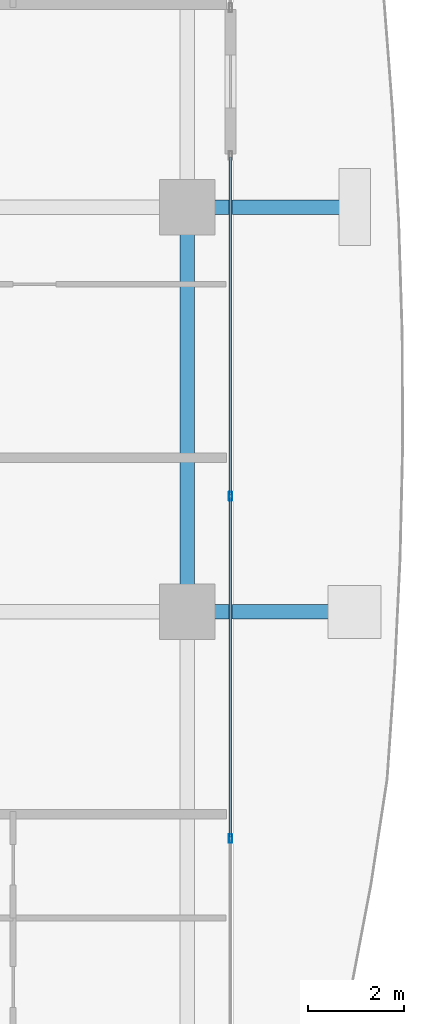
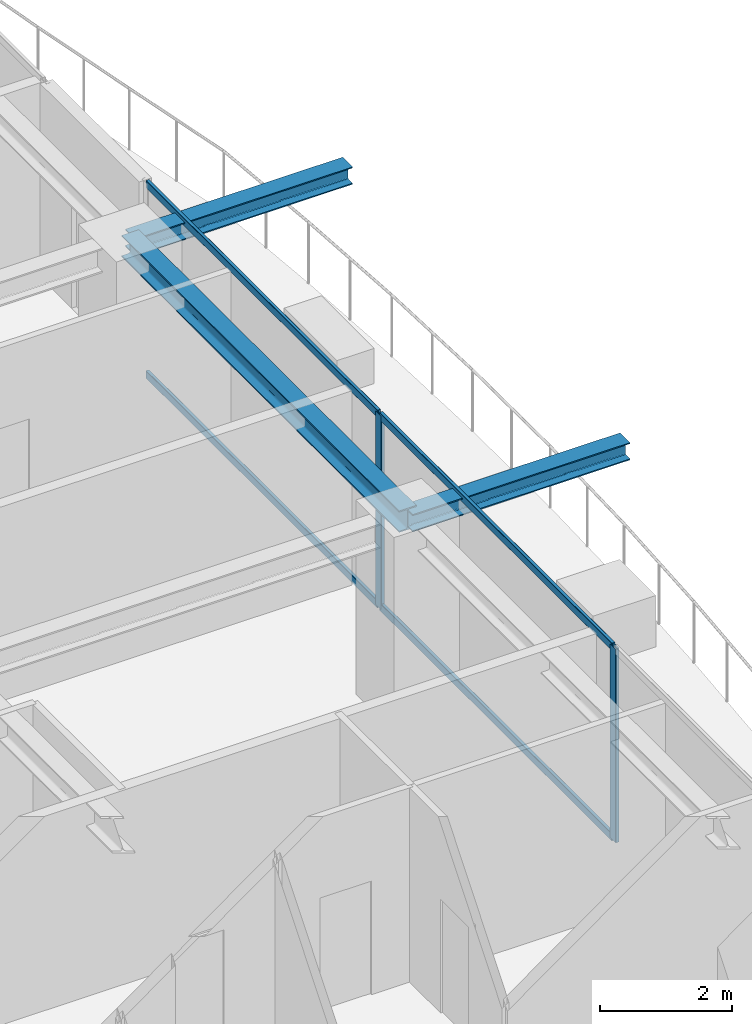
# One storey, part 15 of 38: 6 members, 3 beams, 1 element without a shape of its own.
"""IFC4 building model written with IfcOpenShell, lengths in metres."""

import ifcopenshell
import ifcopenshell.guid

model = None  # the IFC model being written
_history = None  # IfcOwnerHistory: only IFC2X3 demands one
_inside = {}  # id of a spatial element -> (the spatial element, [elements in it])
_under = {}  # id of a project, library or spatial element -> (it, [spatial elements below it])
_declared = {}  # id of a project -> (the project, [libraries it declares])
_typed = {}  # id of a type object -> (the type object, [elements of that type])
_made_of = {}  # id of a material, layer set ... -> (it, [elements and type objects made of it])


def new_model(schema):
    """Start an empty IFC model of exactly this schema.

    Asked for "IFC4X3", IfcOpenShell would pick the latest addendum, in which some entities
    have other attributes; the version numbers below select the first issue.
    IFC2X3 requires an IfcOwnerHistory on every rooted entity: one is made here for all.
    """
    global model, _history
    if schema == "IFC4X3":
        model = ifcopenshell.file(schema_version=(4, 3, 0, 0))
    else:
        model = ifcopenshell.file(schema=schema)
    _inside.clear()
    _under.clear()
    _declared.clear()
    _typed.clear()
    _made_of.clear()
    _history = None
    if model.schema == "IFC2X3":
        org = make("IfcOrganization", Name="unknown")
        user = make(
            "IfcPersonAndOrganization",
            ThePerson=make("IfcPerson", FamilyName="unknown"),
            TheOrganization=org,
        )
        app = make(
            "IfcApplication",
            ApplicationDeveloper=org,
            Version="unknown",
            ApplicationFullName="unknown",
            ApplicationIdentifier="unknown",
        )
        _history = make(
            "IfcOwnerHistory",
            OwningUser=user,
            OwningApplication=app,
            ChangeAction="ADDED",
            CreationDate=0,
        )
    return model


def make(cls, **values):
    """One entity of the class cls with the attributes given. An attribute that is None is left unset."""
    return model.create_entity(
        cls, **{name: value for name, value in values.items() if value is not None}
    )


def rooted(cls, **values):
    """An entity with a GlobalId (a new one), such as an element, a storey or a relation."""
    return make(cls, GlobalId=ifcopenshell.guid.new(), OwnerHistory=_history, **values)


def si_unit(unit_type, name, prefix=None):
    """IfcSIUnit, for example si_unit("LENGTHUNIT", "METRE", prefix="MILLI")."""
    return make("IfcSIUnit", UnitType=unit_type, Prefix=prefix, Name=name)


def assignment(units):
    """IfcUnitAssignment: the units of a project."""
    return None if units is None else make("IfcUnitAssignment", Units=units)


def point(xyz):
    """IfcCartesianPoint."""
    return None if xyz is None else make("IfcCartesianPoint", Coordinates=xyz)


def direction(xyz):
    """IfcDirection."""
    return None if xyz is None else make("IfcDirection", DirectionRatios=xyz)


def frame(location, z_axis=None, x_axis=None):
    """IfcAxis2Placement3D, a coordinate frame: its origin and axes. An axis left out is left unset."""
    return make(
        "IfcAxis2Placement3D",
        Location=point(location),
        Axis=direction(z_axis),
        RefDirection=direction(x_axis),
    )


def frame_2d(location, x_axis=None):
    """IfcAxis2Placement2D, a coordinate frame in the plane: its origin and x axis."""
    return make(
        "IfcAxis2Placement2D", Location=point(location), RefDirection=direction(x_axis)
    )


def origin():
    """The frame at (0, 0, 0) with its axes left unset."""
    return frame((0.0, 0.0, 0.0))


def origin_2d():
    """The frame at (0, 0) in the plane with its x axis left unset."""
    return frame_2d((0.0, 0.0))


def place(relative_to, where):
    """IfcLocalPlacement: puts the frame where relative to a parent placement (None: the world)."""
    return make(
        "IfcLocalPlacement", PlacementRelTo=relative_to, RelativePlacement=where
    )


def context(
    kind, dimensions, precision=None, world=None, true_north=None, identifier=None
):
    """IfcGeometricRepresentationContext, for example the 3D "Model" context."""
    return make(
        "IfcGeometricRepresentationContext",
        ContextIdentifier=identifier,
        ContextType=kind,
        CoordinateSpaceDimension=dimensions,
        Precision=precision,
        WorldCoordinateSystem=world,
        TrueNorth=true_north,
    )


def subcontext(parent, identifier, kind, view, scale=None):
    """IfcGeometricRepresentationSubContext, for example "Body" below "Model"."""
    return make(
        "IfcGeometricRepresentationSubContext",
        ContextIdentifier=identifier,
        ContextType=kind,
        ParentContext=parent,
        TargetScale=scale,
        TargetView=view,
    )


def project(units=None, contexts=None):
    """IfcProject with its units and contexts."""
    return rooted(
        "IfcProject",
        Name="project",
        RepresentationContexts=contexts,
        UnitsInContext=assignment(units),
    )


def spatial(cls, under=None, at=None, **own):
    """A site, building, storey or space (cls), placed at a placement, below another one or the project."""
    s = rooted(cls, ObjectPlacement=at, **own)
    if under is not None:
        _under.setdefault(under.id(), (under, []))[1].append(s)
    return s


def profile(cls, at=None, kind="AREA", **sizes):
    """A parametric profile (cls). Its sizes go by their IFC names, for example OverallWidth=200.0."""
    return make(cls, ProfileType=kind, Position=at, **sizes)


def hollow_rectangle(**sizes):
    """IfcRectangleHollowProfileDef."""
    return profile("IfcRectangleHollowProfileDef", **sizes)


def i_section(**sizes):
    """IfcIShapeProfileDef."""
    return profile("IfcIShapeProfileDef", **sizes)


def extrude(swept, where, along, depth):
    """IfcExtrudedAreaSolid: the profile swept, set in the frame where, extruded along a direction by depth."""
    return make(
        "IfcExtrudedAreaSolid",
        SweptArea=swept,
        Position=where,
        ExtrudedDirection=direction(along),
        Depth=depth,
    )


def shape(context_of_items, identifier, shape_type, items):
    """IfcShapeRepresentation: the items that make up one representation, for example the "Body"."""
    return make(
        "IfcShapeRepresentation",
        ContextOfItems=context_of_items,
        RepresentationIdentifier=identifier,
        RepresentationType=shape_type,
        Items=items,
    )


def source(mapping_origin, context_of_items, identifier, shape_type, items):
    """IfcRepresentationMap: a shape defined once, which mapped items show again and again."""
    return make(
        "IfcRepresentationMap",
        MappingOrigin=mapping_origin,
        MappedRepresentation=shape(context_of_items, identifier, shape_type, items),
    )


def transform(
    local_origin,
    x_axis=None,
    y_axis=None,
    z_axis=None,
    scale=None,
    scale2=None,
    scale3=None,
    uniform=True,
):
    """IfcCartesianTransformationOperator3D, or its non-uniform kind. x_axis, y_axis, z_axis: its Axis1, 2, 3."""
    if uniform:
        return make(
            "IfcCartesianTransformationOperator3D",
            Axis1=direction(x_axis),
            Axis2=direction(y_axis),
            LocalOrigin=point(local_origin),
            Scale=scale,
            Axis3=direction(z_axis),
        )
    return make(
        "IfcCartesianTransformationOperator3DnonUniform",
        Axis1=direction(x_axis),
        Axis2=direction(y_axis),
        LocalOrigin=point(local_origin),
        Scale=scale,
        Axis3=direction(z_axis),
        Scale2=scale2,
        Scale3=scale3,
    )


def mapped(mapping_source, mapping_target):
    """IfcMappedItem: shows the shape of a source again, moved by a transform."""
    return make(
        "IfcMappedItem", MappingSource=mapping_source, MappingTarget=mapping_target
    )


def material(Name=None, Category=None):
    """IfcMaterial."""
    return make("IfcMaterial", Name=Name, Category=Category)


def layer(
    of_material, thickness, ventilated=None, Name=None, Category=None, Priority=None
):
    """IfcMaterialLayer: one layer of a wall or slab, of a material (None: an air gap)."""
    return make(
        "IfcMaterialLayer",
        Material=of_material,
        LayerThickness=thickness,
        IsVentilated=ventilated,
        Name=Name,
        Category=Category,
        Priority=Priority,
    )


def layer_set(layers, Name=None):
    """IfcMaterialLayerSet."""
    return make("IfcMaterialLayerSet", MaterialLayers=layers, LayerSetName=Name)


def material_profile(
    of_material, cross_section, Name=None, Category=None, Priority=None
):
    """IfcMaterialProfile: a cross section and its material."""
    return make(
        "IfcMaterialProfile",
        Name=Name,
        Material=of_material,
        Profile=cross_section,
        Priority=Priority,
        Category=Category,
    )


def profile_set(profiles, Name=None, composite=None):
    """IfcMaterialProfileSet."""
    return make(
        "IfcMaterialProfileSet",
        Name=Name,
        MaterialProfiles=profiles,
        CompositeProfile=composite,
    )


def made_of(thing, what):
    """Note that an element or type object is made of a material, layer set ...; save() writes the relation."""
    if what is not None:
        _made_of.setdefault(what.id(), (what, []))[1].append(thing)
    return thing


def type_object(cls, material=None, **own):
    """A type object (cls), such as IfcWallType, which elements share."""
    return made_of(rooted(cls, **own), material)


def element(
    cls,
    number,
    at=None,
    inside=None,
    cuts=None,
    type_object=None,
    material=None,
    context=None,
    identifier="Body",
    shape_type=None,
    held_by="IfcProductDefinitionShape",
    body=None,
    shapes=None,
    **own,
):
    """One element of the class cls, such as IfcWall. Its Tag is "e" and its number.

    at: its placement. inside: the storey or other place that contains it. cuts: it is an
    opening in that element (IfcRelVoidsElement). A single representation is given by context,
    identifier, shape_type and body (its items); several are given by shapes. held_by: the class
    of the entity that holds the representations. save() writes the other relations.
    """
    e = rooted(cls, Tag="e%d" % number, ObjectPlacement=at, **own)
    if body is not None:
        shapes = [shape(context, identifier, shape_type, body)]
    if shapes is not None:
        e.Representation = make(held_by, Representations=shapes)
    if inside is not None:
        _inside.setdefault(inside.id(), (inside, []))[1].append(e)
    if cuts is not None:
        rooted(
            "IfcRelVoidsElement", RelatingBuildingElement=cuts, RelatedOpeningElement=e
        )
    if type_object is not None:
        _typed.setdefault(type_object.id(), (type_object, []))[1].append(e)
    return made_of(e, material)


def aggregate(whole, parts):
    """IfcRelAggregates: a whole, such as a stair, and the parts it consists of."""
    return rooted("IfcRelAggregates", RelatingObject=whole, RelatedObjects=parts)


def save(model, path):
    """Write the relations noted so far, then the file.

    IfcRelAggregates (storeys below a building ...), IfcRelContainedInSpatialStructure (elements
    in a storey), IfcRelDefinesByType, IfcRelAssociatesMaterial and IfcRelDeclares: one each for
    every whole, place, type object, material and project.
    """
    for whole, parts in _under.values():
        aggregate(whole, parts)
    for where, things in _inside.values():
        rooted(
            "IfcRelContainedInSpatialStructure",
            RelatedElements=things,
            RelatingStructure=where,
        )
    for kind, things in _typed.values():
        rooted("IfcRelDefinesByType", RelatedObjects=things, RelatingType=kind)
    for what, things in _made_of.values():
        rooted("IfcRelAssociatesMaterial", RelatedObjects=things, RelatingMaterial=what)
    for by, libraries in _declared.values():
        rooted("IfcRelDeclares", RelatingContext=by, RelatedDefinitions=libraries)
    model.write(path)


model = new_model("IFC4")

# Units and contexts
model_context = context("Model", 3, precision=1e-05, world=origin(), true_north=direction((0.0, 1.0)))
body_context = subcontext(model_context, "Body", "Model", "MODEL_VIEW")
ifc_project = project(units=[si_unit("LENGTHUNIT", "METRE"), si_unit("AREAUNIT", "SQUARE_METRE"), si_unit("VOLUMEUNIT", "CUBIC_METRE"), si_unit("PLANEANGLEUNIT", "RADIAN"), si_unit("MASSUNIT", "GRAM", prefix="KILO")], contexts=[model_context])

# Site, building, storey
site_placement = place(None, origin())
site = spatial("IfcSite", under=ifc_project, at=site_placement, CompositionType="ELEMENT")
building_placement = place(site_placement, origin())
building = spatial("IfcBuilding", under=site, at=building_placement, Name="Serunith Strait Residences", CompositionType="ELEMENT")
storey_placement = place(building_placement, frame((0.0, 0.0, 245.10009765625)))
storey = spatial("IfcBuildingStorey", under=building, at=storey_placement, Name="L61", CompositionType="ELEMENT", Elevation=245.10009765625)

# Beams
ifc_material_1 = material(Name="Steel S355J2", Category="steel")
ifc_material_profile_1 = material_profile(ifc_material_1, i_section(OverallWidth=0.300048828125, OverallDepth=0.39990234375, WebThickness=0.013427734375, FlangeThickness=0.02392578125, FilletRadius=0.027099609375, at=origin_2d()), Name="HEB 400")
ifc_profile_set_1 = profile_set([ifc_material_profile_1], Name="Steel S355J2")
beam_type_1 = type_object("IfcBeamType", Name="BM-HEB400", PredefinedType="BEAM", material=ifc_profile_set_1)
shared_shape_1 = source(origin(), body_context, "Body", "SweptSolid", [
    extrude(i_section(OverallWidth=0.300048828125, OverallDepth=0.39990234375, WebThickness=0.013427734375, FlangeThickness=0.02392578125, FilletRadius=0.027099609375, at=origin_2d()), origin(), (0.0, 0.0, 1.0), 8.39990234375),
])
beam_placement = place(storey_placement, frame((56.5, 21.0, 3.386962890625), z_axis=(0.0, 1.0, 0.0), x_axis=(-1.0, 0.0, 0.0)))
element("IfcBeam", 1, at=beam_placement, inside=storey, type_object=beam_type_1, Name="L61 Perimeter Ring Beam 06", PredefinedType="BEAM", context=body_context, shape_type="MappedRepresentation", body=[
    mapped(shared_shape_1, transform((0.0, 0.0, 0.0), scale=1.0)),
])
ifc_material_profile_2 = material_profile(ifc_material_1, i_section(OverallWidth=0.300048828125, OverallDepth=0.320068359375, WebThickness=0.011474609375, FlangeThickness=0.0205078125, FilletRadius=0.027099609375, at=origin_2d()), Name="HEB 320")
ifc_profile_set_2 = profile_set([ifc_material_profile_2], Name="Steel S355J2")
beam_type_2 = type_object("IfcBeamType", Name="BM-HEB320", PredefinedType="BEAM", material=ifc_profile_set_2)
shared_shape_2 = source(origin(), body_context, "Body", "SweptSolid", [
    extrude(i_section(OverallWidth=0.300048828125, OverallDepth=0.320068359375, WebThickness=0.011474609375, FlangeThickness=0.0205078125, FilletRadius=0.027099609375, at=origin_2d()), origin(), (0.0, 0.0, 1.0), 3.800048828125),
])
for number, where, z_axis, x_axis, name in (
    (2, (56.5, 21.0, 3.39697265625), (1.0, 0.0, 0.0), (0.0, 1.0, 0.0), "L62 Cantilevered Balcony Rib TC-E2"),
    (3, (56.5, 29.39990234375, 3.39697265625), (1.0, 0.0, 0.0), (0.0, 1.0, 0.0), "L62 Cantilevered Balcony Rib TC-E3"),
):
    element("IfcBeam", number, at=place(storey_placement, frame(where, z_axis=z_axis, x_axis=x_axis)), inside=storey, type_object=beam_type_2, Name=name, PredefinedType="BEAM", context=body_context, shape_type="MappedRepresentation", body=[
        mapped(shared_shape_2, transform((0.0, 0.0, 0.0), scale=1.0)),
    ])

# Curtain wall, members
ifc_material_2 = material(Name="Pale-Champagne Anodised Aluminium", Category="aluminium")
ifc_layer = layer(ifc_material_2, 0.199951171875, Name="Pale-Champagne Anodised Aluminium")
ifc_layer_set = layer_set([ifc_layer], Name="Pale-Champagne Anodised Aluminium")
curtain_wall_type = type_object("IfcCurtainWallType", Name="CW-SYS4", PredefinedType="NOTDEFINED", material=ifc_layer_set)
curtain_wall_placement = place(storey_placement, origin())
curtain_wall = element("IfcCurtainWall", 4, at=curtain_wall_placement, inside=storey, type_object=curtain_wall_type, Name="L61 E Unitised Fritted Curtain Wall", PredefinedType="NOTDEFINED")
ifc_material_profile_3 = material_profile(ifc_material_2, hollow_rectangle(XDim=0.06494140625, YDim=0.179931640625, WallThickness=0.00341796875, InnerFilletRadius=0.00537109375, OuterFilletRadius=0.0087890625, at=origin_2d()), Name="ALU 180x65x3.5")
ifc_profile_set_3 = profile_set([ifc_material_profile_3], Name="Pale-Champagne Anodised Aluminium")
member_type_1 = type_object("IfcMemberType", Name="CW-SYS4-MULL", PredefinedType="MULLION", material=ifc_profile_set_3)
shared_shape_3 = source(origin(), body_context, "Body", "SweptSolid", [
    extrude(hollow_rectangle(XDim=0.06494140625, YDim=0.179931640625, WallThickness=0.00341796875, InnerFilletRadius=0.00537109375, OuterFilletRadius=0.0087890625, at=origin_2d()), origin(), (0.0, 0.0, 1.0), 3.574951171875),
])
member_1_placement = place(storey_placement, frame((57.39990234375, 16.300048828125, 0.0), z_axis=(0.0, 0.0, 1.0), x_axis=(-1.0, 0.0, 0.0)))
member_1 = element("IfcMember", 5, at=member_1_placement, type_object=member_type_1, Name="CW-4 mullion 2", PredefinedType="MULLION", context=body_context, shape_type="MappedRepresentation", body=[
    mapped(shared_shape_3, transform((0.0, 0.0, 0.0), scale=1.0)),
])
member_2_placement = place(storey_placement, frame((57.39990234375, 23.39990234375, 0.0), z_axis=(0.0, 0.0, 1.0), x_axis=(-1.0, 0.0, 0.0)))
member_2 = element("IfcMember", 6, at=member_2_placement, type_object=member_type_1, Name="CW-4 mullion 3", PredefinedType="MULLION", context=body_context, shape_type="MappedRepresentation", body=[
    mapped(shared_shape_3, transform((0.0, 0.0, 0.0), scale=1.0)),
])
ifc_material_profile_4 = material_profile(ifc_material_2, hollow_rectangle(XDim=0.06005859375, YDim=0.139892578125, WallThickness=0.00341796875, InnerFilletRadius=0.00537109375, OuterFilletRadius=0.0087890625, at=origin_2d()), Name="ALU 140x60x3.5")
ifc_profile_set_4 = profile_set([ifc_material_profile_4], Name="Pale-Champagne Anodised Aluminium")
member_type_2 = type_object("IfcMemberType", Name="CW-SYS4-TRAN", PredefinedType="USERDEFINED", material=ifc_profile_set_4)
shared_shape_4 = source(origin(), body_context, "Body", "SweptSolid", [
    extrude(hollow_rectangle(XDim=0.06005859375, YDim=0.139892578125, WallThickness=0.00341796875, InnerFilletRadius=0.00537109375, OuterFilletRadius=0.0087890625, at=origin_2d()), origin(), (0.0, 0.0, 1.0), 7.00244140625),
])
member_3_placement = place(storey_placement, frame((57.39990234375, 23.4326171875, 0.02978515625), z_axis=(0.0, 1.0, 0.0), x_axis=(-1.0, 0.0, 0.0)))
member_3 = element("IfcMember", 7, at=member_3_placement, type_object=member_type_2, Name="CW-4 transom 3.1", ObjectType="TRANSOM", PredefinedType="USERDEFINED", context=body_context, shape_type="MappedRepresentation", body=[
    mapped(shared_shape_4, transform((0.0, 0.0, 0.0), scale=1.0)),
])
member_4_placement = place(storey_placement, frame((57.39990234375, 23.4326171875, 3.544921875), z_axis=(0.0, 1.0, 0.0), x_axis=(-1.0, 0.0, 0.0)))
member_4 = element("IfcMember", 8, at=member_4_placement, type_object=member_type_2, Name="CW-4 transom 3.2", ObjectType="TRANSOM", PredefinedType="USERDEFINED", context=body_context, shape_type="MappedRepresentation", body=[
    mapped(shared_shape_4, transform((0.0, 0.0, 0.0), scale=1.0)),
])
shared_shape_5 = source(origin(), body_context, "Body", "SweptSolid", [
    extrude(hollow_rectangle(XDim=0.06005859375, YDim=0.139892578125, WallThickness=0.00341796875, InnerFilletRadius=0.00537109375, OuterFilletRadius=0.0087890625, at=origin_2d()), origin(), (0.0, 0.0, 1.0), 7.034912109375),
])
member_5_placement = place(storey_placement, frame((57.39990234375, 16.33251953125, 0.02978515625), z_axis=(0.0, 1.0, 0.0), x_axis=(-1.0, 0.0, 0.0)))
member_5 = element("IfcMember", 9, at=member_5_placement, type_object=member_type_2, Name="CW-4 transom 2.1", ObjectType="TRANSOM", PredefinedType="USERDEFINED", context=body_context, shape_type="MappedRepresentation", body=[
    mapped(shared_shape_5, transform((0.0, 0.0, 0.0), scale=1.0)),
])
member_6_placement = place(storey_placement, frame((57.39990234375, 16.33251953125, 3.544921875), z_axis=(0.0, 1.0, 0.0), x_axis=(-1.0, 0.0, 0.0)))
member_6 = element("IfcMember", 10, at=member_6_placement, type_object=member_type_2, Name="CW-4 transom 2.2", ObjectType="TRANSOM", PredefinedType="USERDEFINED", context=body_context, shape_type="MappedRepresentation", body=[
    mapped(shared_shape_5, transform((0.0, 0.0, 0.0), scale=1.0)),
])
aggregate(curtain_wall, [member_1, member_2, member_5, member_6, member_3, member_4])

save(model, "model.ifc")
